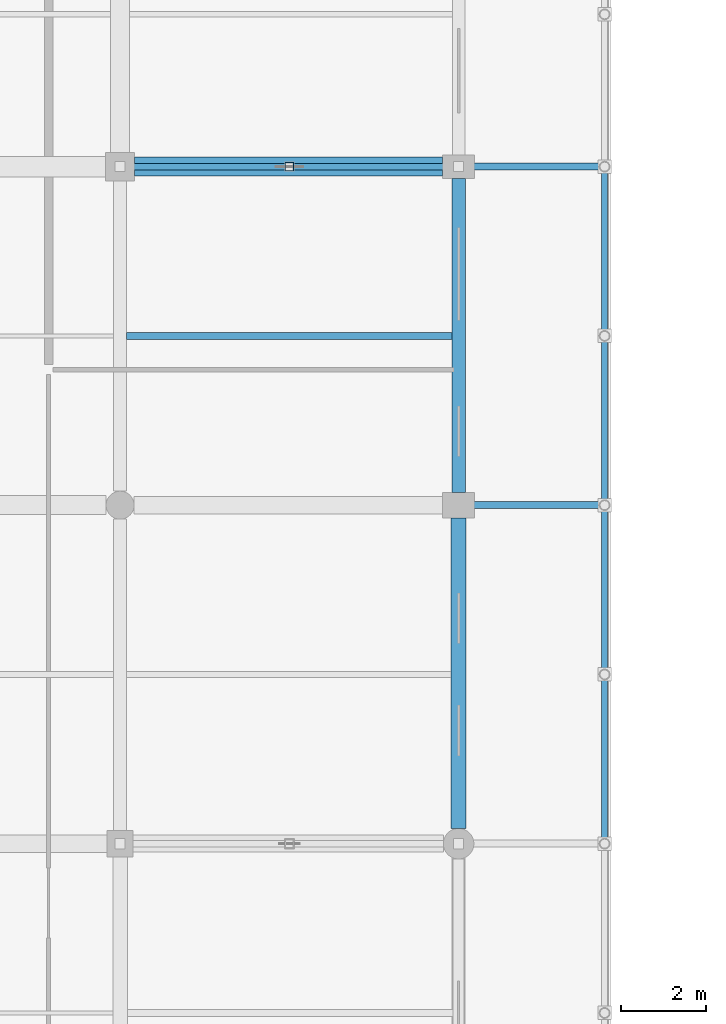
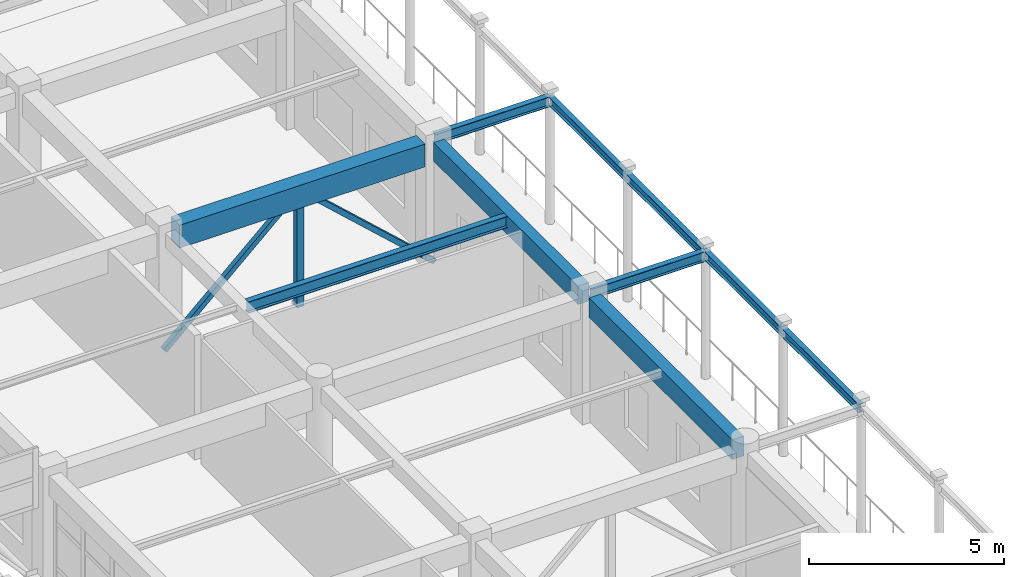
# One storey, part 103 of 195: 8 beams, 3 members.
"""IFC4 building model written with IfcOpenShell, lengths in metres."""

from ifc_helpers import new_model, si_unit, direction, frame, origin, origin_2d, place, context, subcontext, project, spatial, rectangle, hollow_rectangle, i_section, extrude, material, material_profile, profile_set, type_object, element, save


model = new_model("IFC4")

# Units and contexts
model_context = context("Model", 3, precision=1e-05, world=origin(), true_north=direction((0.0, 1.0)))
body_context = subcontext(model_context, "Body", "Model", "MODEL_VIEW")
ifc_project = project(units=[si_unit("LENGTHUNIT", "METRE"), si_unit("AREAUNIT", "SQUARE_METRE"), si_unit("VOLUMEUNIT", "CUBIC_METRE"), si_unit("PLANEANGLEUNIT", "RADIAN"), si_unit("MASSUNIT", "GRAM", prefix="KILO")], contexts=[model_context])

# Site, building, storey
site_placement = place(None, origin())
site = spatial("IfcSite", under=ifc_project, at=site_placement, CompositionType="ELEMENT")
building_placement = place(site_placement, origin())
building = spatial("IfcBuilding", under=site, at=building_placement, Name="Kharva Crest Polytechnic", CompositionType="ELEMENT")
storey_placement = place(building_placement, frame((0.0, 0.0, 9.0)))
storey = spatial("IfcBuildingStorey", under=building, at=storey_placement, Name="L02", CompositionType="ELEMENT", Elevation=9.0)

# Beams
ifc_material_1 = material(Name="Concrete C35/45", Category="concrete")
ifc_material_profile_1 = material_profile(ifc_material_1, rectangle(XDim=0.449951171875, YDim=0.719970703125, at=origin_2d()), Name="RECT 450 X 720")
ifc_profile_set_1 = profile_set([ifc_material_profile_1], Name="Concrete C35/45")
beam_type_1 = type_object("IfcBeamType", Name="BM-RC-450X720", PredefinedType="BEAM", material=ifc_profile_set_1)
beam_1_placement = place(storey_placement, frame((40.340087890625, 78.800048828125, 3.56005859375), z_axis=(1.0, 0.0, 0.0), x_axis=(0.0, 1.0, 0.0)))
element("IfcBeam", 1, at=beam_1_placement, inside=storey, type_object=beam_type_1, Name="L02 Beam L/6-7", PredefinedType="BEAM", context=body_context, shape_type="SweptSolid", body=[
    extrude(rectangle(XDim=0.449951171875, YDim=0.719970703125, at=origin_2d()), origin(), (0.0, 0.0, 1.0), 7.284912109375),
])
ifc_material_2 = material(Name="Steel S355", Category="steel")
ifc_material_profile_2 = material_profile(ifc_material_2, i_section(OverallWidth=0.14794921875, OverallDepth=0.26611328125, WebThickness=0.007568359375, FlangeThickness=0.012939453125, at=origin_2d()), Name="W250X44.8")
ifc_profile_set_2 = profile_set([ifc_material_profile_2], Name="Steel S355")
beam_type_2 = type_object("IfcBeamType", Name="BM-STL-W250X44", PredefinedType="SPANDREL", material=ifc_profile_set_2)
for number, where, z_axis, x_axis, name in (
    (2, (51.449951171875, 62.820068359375, 3.85693359375), (0.0, 1.0, 0.0), (-1.0, 0.0, 0.0), "L02 West Veranda Beam 3"),
    (3, (51.449951171875, 70.820068359375, 3.85693359375), (0.0, 1.0, 0.0), (-1.0, 0.0, 0.0), "L02 West Veranda Beam 4"),
):
    element("IfcBeam", number, at=place(storey_placement, frame(where, z_axis=z_axis, x_axis=x_axis)), inside=storey, type_object=beam_type_2, Name=name, PredefinedType="SPANDREL", context=body_context, shape_type="SweptSolid", body=[
        extrude(i_section(OverallWidth=0.14794921875, OverallDepth=0.26611328125, WebThickness=0.007568359375, FlangeThickness=0.012939453125, at=origin_2d()), origin(), (0.0, 0.0, 1.0), 7.9599609375),
    ])
ifc_material_profile_3 = material_profile(ifc_material_2, i_section(OverallWidth=0.1669921875, OverallDepth=0.31689453125, WebThickness=0.007568359375, FlangeThickness=0.01318359375, at=origin_2d()), Name="W310X52")
ifc_profile_set_3 = profile_set([ifc_material_profile_3], Name="Steel S355")
beam_type_3 = type_object("IfcBeamType", Name="BM-STL-W310X52", PredefinedType="BEAM", material=ifc_profile_set_3)
for number, where, z_axis, x_axis, name in (
    (4, (48.02001953125, 70.800048828125, 3.83154296875), (1.0, 0.0, 0.0), (0.0, 1.0, 0.0), "L02 West Veranda Tie 4"),
    (5, (48.02001953125, 78.800048828125, 3.83154296875), (1.0, 0.0, 0.0), (0.0, 1.0, 0.0), "L02 West Veranda Tie 5"),
):
    element("IfcBeam", number, at=place(storey_placement, frame(where, z_axis=z_axis, x_axis=x_axis)), inside=storey, type_object=beam_type_3, Name=name, PredefinedType="BEAM", context=body_context, shape_type="SweptSolid", body=[
        extrude(i_section(OverallWidth=0.1669921875, OverallDepth=0.31689453125, WebThickness=0.007568359375, FlangeThickness=0.01318359375, at=origin_2d()), origin(), (0.0, 0.0, 1.0), 3.409912109375),
    ])
ifc_material_profile_4 = material_profile(ifc_material_2, i_section(OverallWidth=0.172119140625, OverallDepth=0.35791015625, WebThickness=0.0078125, FlangeThickness=0.01318359375, at=origin_2d()), Name="W360X57.8")
ifc_profile_set_4 = profile_set([ifc_material_profile_4], Name="Steel S355")
beam_type_4 = type_object("IfcBeamType", Name="BM-STL-W360X57", PredefinedType="JOIST", material=ifc_profile_set_4)
beam_2_placement = place(storey_placement, frame((40.14990234375, 74.800048828125, 3.740966796875), z_axis=(1.0, 0.0, 0.0), x_axis=(0.0, 1.0, 0.0)))
element("IfcBeam", 6, at=beam_2_placement, inside=storey, type_object=beam_type_4, Name="L02 Floor Joist 8", PredefinedType="JOIST", context=body_context, shape_type="SweptSolid", body=[
    extrude(i_section(OverallWidth=0.172119140625, OverallDepth=0.35791015625, WebThickness=0.0078125, FlangeThickness=0.01318359375, at=origin_2d()), origin(), (0.0, 0.0, 1.0), 7.690185546875),
])

# Members
ifc_material_profile_5 = material_profile(ifc_material_2, hollow_rectangle(XDim=0.14990234375, YDim=0.14990234375, WallThickness=0.00634765625, at=origin_2d()), Name="RHS 150X150X6.3")
ifc_profile_set_5 = profile_set([ifc_material_profile_5], Name="Steel S355")
member_type_1 = type_object("IfcMemberType", Name="MEM-RHS150-BR", PredefinedType="BRACE", material=ifc_profile_set_5)
for number, where, z_axis, x_axis, name in (
    (7, (40.0, 78.800048828125, 0.0), (0.738694342968, 0.0, 0.674040553429), (0.0, 1.0, 0.0), "L02 Braced Frame 6 Diagonal A"),
    (8, (48.0, 78.800048828125, 0.0), (-0.738694342968, 0.0, 0.674040553429), (0.0, -1.0, 0.0), "L02 Braced Frame 6 Diagonal B"),
):
    element("IfcMember", number, at=place(storey_placement, frame(where, z_axis=z_axis, x_axis=x_axis)), inside=storey, type_object=member_type_1, Name=name, PredefinedType="BRACE", context=body_context, shape_type="SweptSolid", body=[
        extrude(hollow_rectangle(XDim=0.14990234375, YDim=0.14990234375, WallThickness=0.00634765625, at=origin_2d()), origin(), (0.0, 0.0, 1.0), 5.4150390625),
    ])
ifc_material_profile_6 = material_profile(ifc_material_2, hollow_rectangle(XDim=0.199951171875, YDim=0.199951171875, WallThickness=0.008056640625, at=origin_2d()), Name="RHS 200X200X8.0")
ifc_profile_set_6 = profile_set([ifc_material_profile_6], Name="Steel S355")
member_type_2 = type_object("IfcMemberType", Name="MEM-RHS200-ST", PredefinedType="STRUT", material=ifc_profile_set_6)
member_placement = place(storey_placement, frame((44.0, 78.800048828125, 0.0), z_axis=(0.0, 0.0, 1.0), x_axis=(1.0, 0.0, 0.0)))
element("IfcMember", 9, at=member_placement, inside=storey, type_object=member_type_2, Name="L02 Braced Frame 6 King Strut", PredefinedType="STRUT", context=body_context, shape_type="SweptSolid", body=[
    extrude(hollow_rectangle(XDim=0.199951171875, YDim=0.199951171875, WallThickness=0.008056640625, at=origin_2d()), origin(), (0.0, 0.0, 1.0), 3.64990234375),
])

# Beams
ifc_material_profile_7 = material_profile(ifc_material_1, rectangle(XDim=0.320068359375, YDim=0.580078125, at=origin_2d()), Name="RECT 320 X 580")
ifc_profile_set_7 = profile_set([ifc_material_profile_7], Name="Concrete C35/45")
beam_type_5 = type_object("IfcBeamType", Name="SP-RC-320X580", PredefinedType="SPANDREL", material=ifc_profile_set_7)
beam_3_placement = place(storey_placement, frame((48.0, 71.10009765625, 3.6298828125), z_axis=(0.0, 1.0, 0.0), x_axis=(-1.0, 0.0, 0.0)))
element("IfcBeam", 10, at=beam_3_placement, inside=storey, type_object=beam_type_5, Name="L02 Girder 7/K-L", PredefinedType="SPANDREL", context=body_context, shape_type="SweptSolid", body=[
    extrude(rectangle(XDim=0.320068359375, YDim=0.580078125, at=origin_2d()), origin(), (0.0, 0.0, 1.0), 7.4248046875),
])
ifc_material_profile_8 = material_profile(ifc_material_1, rectangle(XDim=0.35009765625, YDim=0.6201171875, at=origin_2d()), Name="RECT 350 X 620")
ifc_profile_set_8 = profile_set([ifc_material_profile_8], Name="Concrete C35/45")
beam_type_6 = type_object("IfcBeamType", Name="SP-RC-350X620", PredefinedType="SPANDREL", material=ifc_profile_set_8)
beam_4_placement = place(storey_placement, frame((48.0, 63.159912109375, 3.610107421875), z_axis=(0.0, 1.0, 0.0), x_axis=(-1.0, 0.0, 0.0)))
element("IfcBeam", 11, at=beam_4_placement, inside=storey, type_object=beam_type_6, Name="L02 Girder 7/J-K", PredefinedType="SPANDREL", context=body_context, shape_type="SweptSolid", body=[
    extrude(rectangle(XDim=0.35009765625, YDim=0.6201171875, at=origin_2d()), origin(), (0.0, 0.0, 1.0), 7.340087890625),
])

save(model, "model.ifc")
